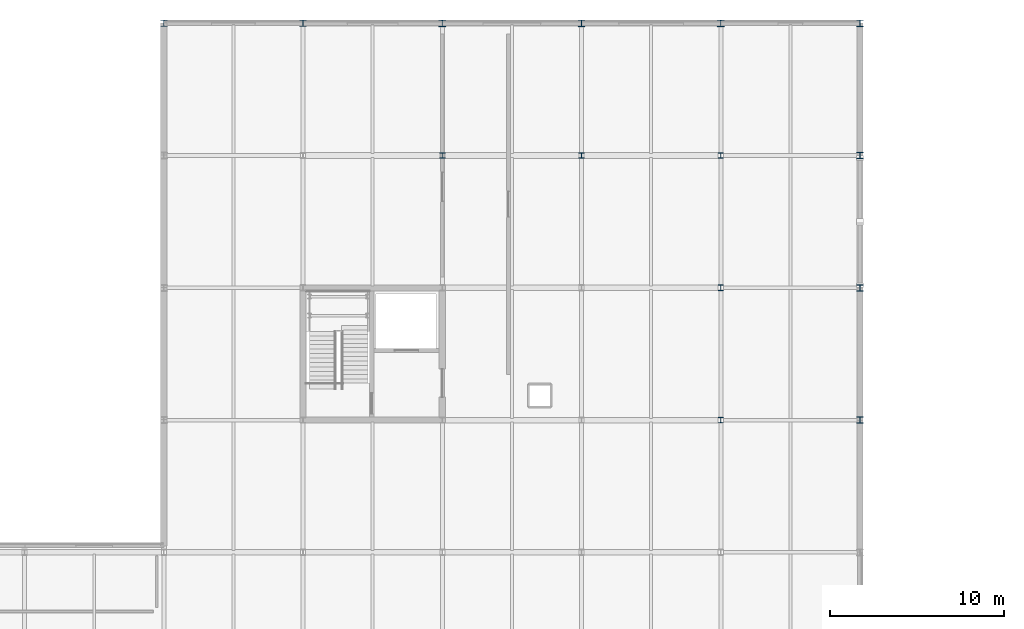
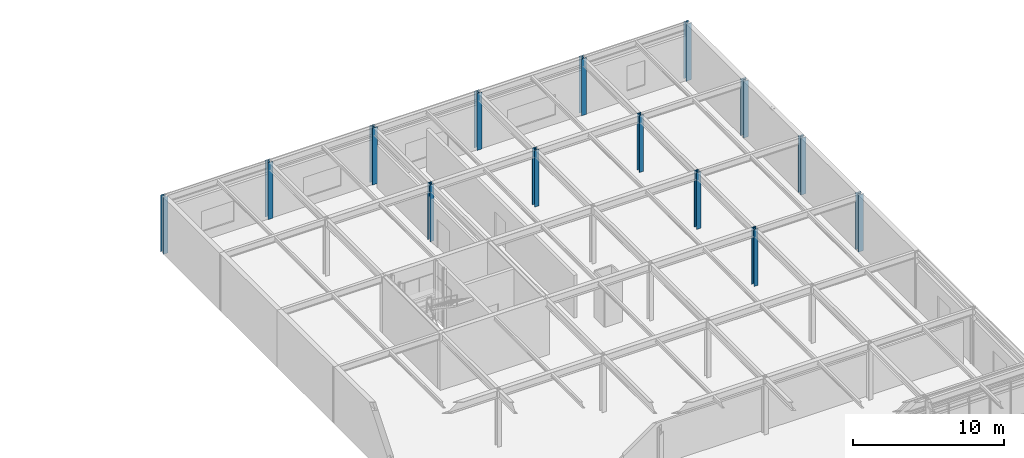
# One storey, part 15 of 104: 14 columns.
"""IFC4 building model written with IfcOpenShell, lengths in metres."""

from ifc_helpers import new_model, si_unit, direction, frame, origin, origin_2d, place, context, subcontext, project, spatial, i_section, extrude, material, material_profile, profile_set, type_object, element, save


model = new_model("IFC4")

# Units and contexts
model_context = context("Model", 3, precision=1e-05, world=origin(), true_north=direction((0.0, 1.0)))
body_context = subcontext(model_context, "Body", "Model", "MODEL_VIEW")
ifc_project = project(units=[si_unit("LENGTHUNIT", "METRE"), si_unit("AREAUNIT", "SQUARE_METRE"), si_unit("VOLUMEUNIT", "CUBIC_METRE"), si_unit("PLANEANGLEUNIT", "RADIAN"), si_unit("MASSUNIT", "GRAM", prefix="KILO")], contexts=[model_context])

# Site, building, storey
site_placement = place(None, origin())
site = spatial("IfcSite", under=ifc_project, at=site_placement, CompositionType="ELEMENT")
building_placement = place(site_placement, origin())
building = spatial("IfcBuilding", under=site, at=building_placement, Name="Zulena Civic Courthouse", CompositionType="ELEMENT")
storey_placement = place(building_placement, frame((0.0, 0.0, 15.60009765625)))
storey = spatial("IfcBuildingStorey", under=building, at=storey_placement, Name="L03", CompositionType="ELEMENT", Elevation=15.60009765625)

# Columns
ifc_material = material(Name="Steel ASTM A992 Grade 50", Category="steel")
ifc_material_profile_1 = material_profile(ifc_material, i_section(OverallWidth=0.31298828125, OverallDepth=0.3330078125, WebThickness=0.01806640625, FlangeThickness=0.0283203125, FilletRadius=0.01513671875, at=origin_2d()), Name="W12X120")
ifc_profile_set_1 = profile_set([ifc_material_profile_1], Name="Steel ASTM A992 Grade 50")
column_type_1 = type_object("IfcColumnType", Name="Col_W12X120", PredefinedType="COLUMN", material=ifc_profile_set_1)
for number, where, z_axis, x_axis, name in (
    (1, (84.0, 83.60009765625, 0.0), (0.0, 0.0, 1.0), (1.0, 0.0, 0.0), "col:V5:L03:84.0:83.6"),
    (2, (92.0, 83.60009765625, 0.0), (0.0, 0.0, 1.0), (1.0, 0.0, 0.0), "col:V5:L03:92.0:83.6"),
    (3, (100.0, 68.39990234375, 0.0), (0.0, 0.0, 1.0), (1.0, 0.0, 0.0), "col:V5:L03:100.0:68.4"),
    (4, (100.0, 76.0, 0.0), (0.0, 0.0, 1.0), (1.0, 0.0, 0.0), "col:V5:L03:100.0:76.0"),
    (5, (100.0, 83.60009765625, 0.0), (0.0, 0.0, 1.0), (1.0, 0.0, 0.0), "col:V5:L03:100.0:83.6"),
):
    element("IfcColumn", number, at=place(storey_placement, frame(where, z_axis=z_axis, x_axis=x_axis)), inside=storey, type_object=column_type_1, Name=name, PredefinedType="COLUMN", context=body_context, shape_type="SweptSolid", body=[
        extrude(i_section(OverallWidth=0.31298828125, OverallDepth=0.3330078125, WebThickness=0.01806640625, FlangeThickness=0.0283203125, FilletRadius=0.01513671875, at=origin_2d()), origin(), (0.0, 0.0, 1.0), 4.58984375),
    ])
ifc_material_profile_2 = material_profile(ifc_material, i_section(OverallWidth=0.373046875, OverallDepth=0.367919921875, WebThickness=0.014892578125, FlangeThickness=0.02392578125, FilletRadius=0.01513671875, at=origin_2d()), Name="W14X120")
ifc_profile_set_2 = profile_set([ifc_material_profile_2], Name="Steel ASTM A992 Grade 50")
column_type_2 = type_object("IfcColumnType", Name="Col_W14X120", PredefinedType="COLUMN", material=ifc_profile_set_2)
for number, where, z_axis, x_axis, name in (
    (6, (68.0, 91.199951171875, 0.0), (0.0, 0.0, 1.0), (1.0, 0.0, 0.0), "col:V5:L03:68.0:91.2"),
    (7, (76.0, 91.199951171875, 0.0), (0.0, 0.0, 1.0), (1.0, 0.0, 0.0), "col:V5:L03:76.0:91.2"),
):
    element("IfcColumn", number, at=place(storey_placement, frame(where, z_axis=z_axis, x_axis=x_axis)), inside=storey, type_object=column_type_2, Name=name, PredefinedType="COLUMN", context=body_context, shape_type="SweptSolid", body=[
        extrude(i_section(OverallWidth=0.373046875, OverallDepth=0.367919921875, WebThickness=0.014892578125, FlangeThickness=0.02392578125, FilletRadius=0.01513671875, at=origin_2d()), origin(), (0.0, 0.0, 1.0), 4.58984375),
    ])
ifc_material_profile_3 = material_profile(ifc_material, i_section(OverallWidth=0.39404296875, OverallDepth=0.3759765625, WebThickness=0.017333984375, FlangeThickness=0.027587890625, FilletRadius=0.01513671875, at=origin_2d()), Name="W14X145")
ifc_profile_set_3 = profile_set([ifc_material_profile_3], Name="Steel ASTM A992 Grade 50")
column_type_3 = type_object("IfcColumnType", Name="Col_W14X145", PredefinedType="COLUMN", material=ifc_profile_set_3)
for number, where, z_axis, x_axis, name in (
    (8, (84.0, 91.199951171875, 0.0), (0.0, 0.0, 1.0), (1.0, 0.0, 0.0), "col:V5:L03:84.0:91.2"),
    (9, (92.0, 91.199951171875, 0.0), (0.0, 0.0, 1.0), (1.0, 0.0, 0.0), "col:V5:L03:92.0:91.2"),
    (10, (100.0, 91.199951171875, 0.0), (0.0, 0.0, 1.0), (1.0, 0.0, 0.0), "col:V5:L03:100.0:91.2"),
    (11, (108.0, 68.39990234375, 0.0), (0.0, 0.0, 1.0), (1.0, 0.0, 0.0), "col:V5:L03:108.0:68.4"),
    (12, (108.0, 76.0, 0.0), (0.0, 0.0, 1.0), (1.0, 0.0, 0.0), "col:V5:L03:108.0:76.0"),
    (13, (108.0, 83.60009765625, 0.0), (0.0, 0.0, 1.0), (1.0, 0.0, 0.0), "col:V5:L03:108.0:83.6"),
    (14, (108.0, 91.199951171875, 0.0), (0.0, 0.0, 1.0), (1.0, 0.0, 0.0), "col:V5:L03:108.0:91.2"),
):
    element("IfcColumn", number, at=place(storey_placement, frame(where, z_axis=z_axis, x_axis=x_axis)), inside=storey, type_object=column_type_3, Name=name, PredefinedType="COLUMN", context=body_context, shape_type="SweptSolid", body=[
        extrude(i_section(OverallWidth=0.39404296875, OverallDepth=0.3759765625, WebThickness=0.017333984375, FlangeThickness=0.027587890625, FilletRadius=0.01513671875, at=origin_2d()), origin(), (0.0, 0.0, 1.0), 4.58984375),
    ])

save(model, "model.ifc")
